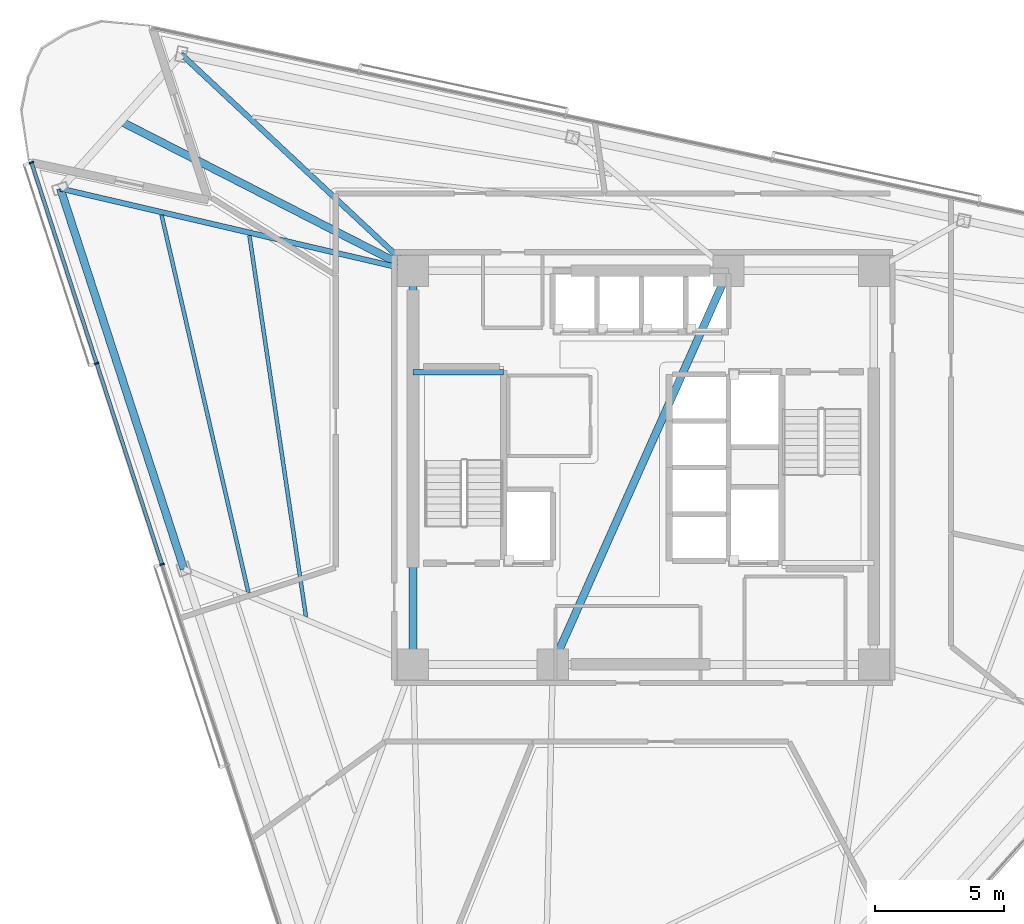
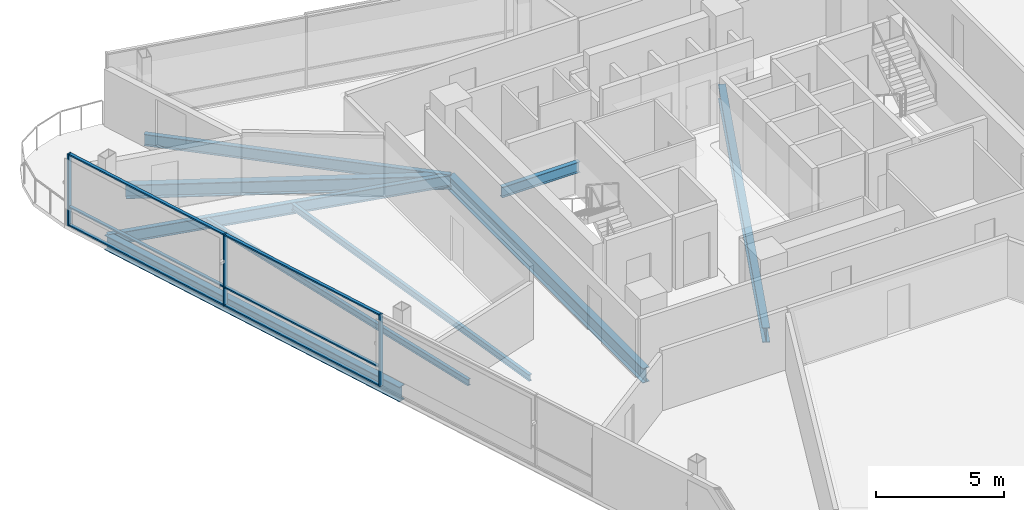
# One storey, part 5 of 17: 9 beams, 9 members, 1 element without a shape of its own.
"""IFC4 building model written with IfcOpenShell, lengths in metres."""

import ifcopenshell
import ifcopenshell.guid

model = None  # the IFC model being written
_history = None  # IfcOwnerHistory: only IFC2X3 demands one
_inside = {}  # id of a spatial element -> (the spatial element, [elements in it])
_under = {}  # id of a project, library or spatial element -> (it, [spatial elements below it])
_declared = {}  # id of a project -> (the project, [libraries it declares])
_typed = {}  # id of a type object -> (the type object, [elements of that type])
_made_of = {}  # id of a material, layer set ... -> (it, [elements and type objects made of it])


def new_model(schema):
    """Start an empty IFC model of exactly this schema.

    Asked for "IFC4X3", IfcOpenShell would pick the latest addendum, in which some entities
    have other attributes; the version numbers below select the first issue.
    IFC2X3 requires an IfcOwnerHistory on every rooted entity: one is made here for all.
    """
    global model, _history
    if schema == "IFC4X3":
        model = ifcopenshell.file(schema_version=(4, 3, 0, 0))
    else:
        model = ifcopenshell.file(schema=schema)
    _inside.clear()
    _under.clear()
    _declared.clear()
    _typed.clear()
    _made_of.clear()
    _history = None
    if model.schema == "IFC2X3":
        org = make("IfcOrganization", Name="unknown")
        user = make(
            "IfcPersonAndOrganization",
            ThePerson=make("IfcPerson", FamilyName="unknown"),
            TheOrganization=org,
        )
        app = make(
            "IfcApplication",
            ApplicationDeveloper=org,
            Version="unknown",
            ApplicationFullName="unknown",
            ApplicationIdentifier="unknown",
        )
        _history = make(
            "IfcOwnerHistory",
            OwningUser=user,
            OwningApplication=app,
            ChangeAction="ADDED",
            CreationDate=0,
        )
    return model


def make(cls, **values):
    """One entity of the class cls with the attributes given. An attribute that is None is left unset."""
    return model.create_entity(
        cls, **{name: value for name, value in values.items() if value is not None}
    )


def rooted(cls, **values):
    """An entity with a GlobalId (a new one), such as an element, a storey or a relation."""
    return make(cls, GlobalId=ifcopenshell.guid.new(), OwnerHistory=_history, **values)


def si_unit(unit_type, name, prefix=None):
    """IfcSIUnit, for example si_unit("LENGTHUNIT", "METRE", prefix="MILLI")."""
    return make("IfcSIUnit", UnitType=unit_type, Prefix=prefix, Name=name)


def assignment(units):
    """IfcUnitAssignment: the units of a project."""
    return None if units is None else make("IfcUnitAssignment", Units=units)


def point(xyz):
    """IfcCartesianPoint."""
    return None if xyz is None else make("IfcCartesianPoint", Coordinates=xyz)


def direction(xyz):
    """IfcDirection."""
    return None if xyz is None else make("IfcDirection", DirectionRatios=xyz)


def frame(location, z_axis=None, x_axis=None):
    """IfcAxis2Placement3D, a coordinate frame: its origin and axes. An axis left out is left unset."""
    return make(
        "IfcAxis2Placement3D",
        Location=point(location),
        Axis=direction(z_axis),
        RefDirection=direction(x_axis),
    )


def frame_2d(location, x_axis=None):
    """IfcAxis2Placement2D, a coordinate frame in the plane: its origin and x axis."""
    return make(
        "IfcAxis2Placement2D", Location=point(location), RefDirection=direction(x_axis)
    )


def origin():
    """The frame at (0, 0, 0) with its axes left unset."""
    return frame((0.0, 0.0, 0.0))


def origin_2d():
    """The frame at (0, 0) in the plane with its x axis left unset."""
    return frame_2d((0.0, 0.0))


def place(relative_to, where):
    """IfcLocalPlacement: puts the frame where relative to a parent placement (None: the world)."""
    return make(
        "IfcLocalPlacement", PlacementRelTo=relative_to, RelativePlacement=where
    )


def context(
    kind, dimensions, precision=None, world=None, true_north=None, identifier=None
):
    """IfcGeometricRepresentationContext, for example the 3D "Model" context."""
    return make(
        "IfcGeometricRepresentationContext",
        ContextIdentifier=identifier,
        ContextType=kind,
        CoordinateSpaceDimension=dimensions,
        Precision=precision,
        WorldCoordinateSystem=world,
        TrueNorth=true_north,
    )


def subcontext(parent, identifier, kind, view, scale=None):
    """IfcGeometricRepresentationSubContext, for example "Body" below "Model"."""
    return make(
        "IfcGeometricRepresentationSubContext",
        ContextIdentifier=identifier,
        ContextType=kind,
        ParentContext=parent,
        TargetScale=scale,
        TargetView=view,
    )


def project(units=None, contexts=None):
    """IfcProject with its units and contexts."""
    return rooted(
        "IfcProject",
        Name="project",
        RepresentationContexts=contexts,
        UnitsInContext=assignment(units),
    )


def spatial(cls, under=None, at=None, **own):
    """A site, building, storey or space (cls), placed at a placement, below another one or the project."""
    s = rooted(cls, ObjectPlacement=at, **own)
    if under is not None:
        _under.setdefault(under.id(), (under, []))[1].append(s)
    return s


def profile(cls, at=None, kind="AREA", **sizes):
    """A parametric profile (cls). Its sizes go by their IFC names, for example OverallWidth=200.0."""
    return make(cls, ProfileType=kind, Position=at, **sizes)


def rectangle(**sizes):
    """IfcRectangleProfileDef."""
    return profile("IfcRectangleProfileDef", **sizes)


def i_section(**sizes):
    """IfcIShapeProfileDef."""
    return profile("IfcIShapeProfileDef", **sizes)


def extrude(swept, where, along, depth):
    """IfcExtrudedAreaSolid: the profile swept, set in the frame where, extruded along a direction by depth."""
    return make(
        "IfcExtrudedAreaSolid",
        SweptArea=swept,
        Position=where,
        ExtrudedDirection=direction(along),
        Depth=depth,
    )


def shape(context_of_items, identifier, shape_type, items):
    """IfcShapeRepresentation: the items that make up one representation, for example the "Body"."""
    return make(
        "IfcShapeRepresentation",
        ContextOfItems=context_of_items,
        RepresentationIdentifier=identifier,
        RepresentationType=shape_type,
        Items=items,
    )


def material(Name=None, Category=None):
    """IfcMaterial."""
    return make("IfcMaterial", Name=Name, Category=Category)


def layer(
    of_material, thickness, ventilated=None, Name=None, Category=None, Priority=None
):
    """IfcMaterialLayer: one layer of a wall or slab, of a material (None: an air gap)."""
    return make(
        "IfcMaterialLayer",
        Material=of_material,
        LayerThickness=thickness,
        IsVentilated=ventilated,
        Name=Name,
        Category=Category,
        Priority=Priority,
    )


def layer_set(layers, Name=None):
    """IfcMaterialLayerSet."""
    return make("IfcMaterialLayerSet", MaterialLayers=layers, LayerSetName=Name)


def material_profile(
    of_material, cross_section, Name=None, Category=None, Priority=None
):
    """IfcMaterialProfile: a cross section and its material."""
    return make(
        "IfcMaterialProfile",
        Name=Name,
        Material=of_material,
        Profile=cross_section,
        Priority=Priority,
        Category=Category,
    )


def profile_set(profiles, Name=None, composite=None):
    """IfcMaterialProfileSet."""
    return make(
        "IfcMaterialProfileSet",
        Name=Name,
        MaterialProfiles=profiles,
        CompositeProfile=composite,
    )


def made_of(thing, what):
    """Note that an element or type object is made of a material, layer set ...; save() writes the relation."""
    if what is not None:
        _made_of.setdefault(what.id(), (what, []))[1].append(thing)
    return thing


def type_object(cls, material=None, **own):
    """A type object (cls), such as IfcWallType, which elements share."""
    return made_of(rooted(cls, **own), material)


def element(
    cls,
    number,
    at=None,
    inside=None,
    cuts=None,
    type_object=None,
    material=None,
    context=None,
    identifier="Body",
    shape_type=None,
    held_by="IfcProductDefinitionShape",
    body=None,
    shapes=None,
    **own,
):
    """One element of the class cls, such as IfcWall. Its Tag is "e" and its number.

    at: its placement. inside: the storey or other place that contains it. cuts: it is an
    opening in that element (IfcRelVoidsElement). A single representation is given by context,
    identifier, shape_type and body (its items); several are given by shapes. held_by: the class
    of the entity that holds the representations. save() writes the other relations.
    """
    e = rooted(cls, Tag="e%d" % number, ObjectPlacement=at, **own)
    if body is not None:
        shapes = [shape(context, identifier, shape_type, body)]
    if shapes is not None:
        e.Representation = make(held_by, Representations=shapes)
    if inside is not None:
        _inside.setdefault(inside.id(), (inside, []))[1].append(e)
    if cuts is not None:
        rooted(
            "IfcRelVoidsElement", RelatingBuildingElement=cuts, RelatedOpeningElement=e
        )
    if type_object is not None:
        _typed.setdefault(type_object.id(), (type_object, []))[1].append(e)
    return made_of(e, material)


def aggregate(whole, parts):
    """IfcRelAggregates: a whole, such as a stair, and the parts it consists of."""
    return rooted("IfcRelAggregates", RelatingObject=whole, RelatedObjects=parts)


def save(model, path):
    """Write the relations noted so far, then the file.

    IfcRelAggregates (storeys below a building ...), IfcRelContainedInSpatialStructure (elements
    in a storey), IfcRelDefinesByType, IfcRelAssociatesMaterial and IfcRelDeclares: one each for
    every whole, place, type object, material and project.
    """
    for whole, parts in _under.values():
        aggregate(whole, parts)
    for where, things in _inside.values():
        rooted(
            "IfcRelContainedInSpatialStructure",
            RelatedElements=things,
            RelatingStructure=where,
        )
    for kind, things in _typed.values():
        rooted("IfcRelDefinesByType", RelatedObjects=things, RelatingType=kind)
    for what, things in _made_of.values():
        rooted("IfcRelAssociatesMaterial", RelatedObjects=things, RelatingMaterial=what)
    for by, libraries in _declared.values():
        rooted("IfcRelDeclares", RelatingContext=by, RelatedDefinitions=libraries)
    model.write(path)


model = new_model("IFC4")

# Units and contexts
model_context = context("Model", 3, precision=1e-05, world=origin(), true_north=direction((0.0, 1.0)))
body_context = subcontext(model_context, "Body", "Model", "MODEL_VIEW")
ifc_project = project(units=[si_unit("LENGTHUNIT", "METRE"), si_unit("AREAUNIT", "SQUARE_METRE"), si_unit("VOLUMEUNIT", "CUBIC_METRE"), si_unit("PLANEANGLEUNIT", "RADIAN"), si_unit("MASSUNIT", "GRAM", prefix="KILO")], contexts=[model_context])

# Site, building, storey
site_placement = place(None, origin())
site = spatial("IfcSite", under=ifc_project, at=site_placement, CompositionType="ELEMENT")
building_placement = place(site_placement, origin())
building = spatial("IfcBuilding", under=site, at=building_placement, Name="Tharavind Bronze Gate", CompositionType="ELEMENT")
storey_placement = place(building_placement, frame((0.0, 0.0, 200.449951171875)))
storey = spatial("IfcBuildingStorey", under=building, at=storey_placement, Name="L51", CompositionType="ELEMENT", Elevation=200.449951171875)

# Curtain wall, members
ifc_material_1 = material(Name="Anodised Bronze Aluminium", Category="aluminium")
ifc_layer = layer(ifc_material_1, 0.219970703125)
ifc_layer_set = layer_set([ifc_layer], Name="Anodised Bronze Aluminium")
curtain_wall_type = type_object("IfcCurtainWallType", Name="UNITISED CURTAIN WALL MID OFFICE", PredefinedType="USERDEFINED", material=ifc_layer_set)
curtain_wall_placement = place(storey_placement, origin())
curtain_wall = element("IfcCurtainWall", 1, at=curtain_wall_placement, inside=storey, type_object=curtain_wall_type, Name="L51 unitised curtain wall mid office CW-L51-S1", ObjectType="UNITISED CURTAIN WALL", PredefinedType="USERDEFINED")
member_type_1 = type_object("IfcMemberType", Name="CURTAIN WALL BRONZE MULLION 65X180", PredefinedType="MULLION", material=ifc_material_1)
member_1_placement = place(storey_placement, frame((-23.630126953125, 11.780517578125, 0.0), z_axis=(0.0, 0.0, 1.0), x_axis=(0.309016994375, -0.951056516295, 0.0)))
member_1 = element("IfcMember", 2, at=member_1_placement, type_object=member_type_1, Name="CW-L51-S1 mullion 1", PredefinedType="MULLION", context=body_context, shape_type="SweptSolid", body=[
    extrude(rectangle(XDim=0.06494140625, YDim=0.179931640625, at=origin_2d()), origin(), (0.0, 0.0, 1.0), 3.419921875),
])
member_2_placement = place(storey_placement, frame((-21.10986328125, 4.02392578125, 0.0), z_axis=(0.0, 0.0, 1.0), x_axis=(0.309016994375, -0.951056516295, 0.0)))
member_2 = element("IfcMember", 3, at=member_2_placement, type_object=member_type_1, Name="CW-L51-S1 mullion 2", PredefinedType="MULLION", context=body_context, shape_type="SweptSolid", body=[
    extrude(rectangle(XDim=0.06494140625, YDim=0.179931640625, at=origin_2d()), origin(), (0.0, 0.0, 1.0), 3.419921875),
])
member_3_placement = place(storey_placement, frame((-18.589599609375, -3.732666015625, 0.0), z_axis=(0.0, 0.0, 1.0), x_axis=(0.309016994375, -0.951056516295, 0.0)))
member_3 = element("IfcMember", 4, at=member_3_placement, type_object=member_type_1, Name="CW-L51-S1 mullion 3", PredefinedType="MULLION", context=body_context, shape_type="SweptSolid", body=[
    extrude(rectangle(XDim=0.06494140625, YDim=0.179931640625, at=origin_2d()), origin(), (0.0, 0.0, 1.0), 3.419921875),
])
member_type_2 = type_object("IfcMemberType", Name="CURTAIN WALL BRONZE TRANSOM 65X140", PredefinedType="USERDEFINED", material=ifc_material_1)
member_4_placement = place(storey_placement, frame((-22.3701171875, 7.902099609375, 0.0), z_axis=(0.0, 0.0, 1.0), x_axis=(0.309016994375, -0.951056516295, 0.0)))
member_4 = element("IfcMember", 5, at=member_4_placement, type_object=member_type_2, Name="CW-L51-S1 transom TB1", ObjectType="TRANSOM", PredefinedType="USERDEFINED", context=body_context, shape_type="SweptSolid", body=[
    extrude(rectangle(XDim=8.102783203125, YDim=0.139892578125, at=origin_2d()), origin(), (0.0, 0.0, 1.0), 0.06494140625),
])
member_5_placement = place(storey_placement, frame((-22.3701171875, 7.902099609375, 0.86767578125), z_axis=(0.0, 0.0, 1.0), x_axis=(0.309016994375, -0.951056516295, 0.0)))
member_5 = element("IfcMember", 6, at=member_5_placement, type_object=member_type_2, Name="CW-L51-S1 transom TS1", ObjectType="TRANSOM", PredefinedType="USERDEFINED", context=body_context, shape_type="SweptSolid", body=[
    extrude(rectangle(XDim=8.102783203125, YDim=0.139892578125, at=origin_2d()), origin(), (0.0, 0.0, 1.0), 0.06494140625),
])
member_6_placement = place(storey_placement, frame((-22.3701171875, 7.902099609375, 3.35498046875), z_axis=(0.0, 0.0, 1.0), x_axis=(0.309016994375, -0.951056516295, 0.0)))
member_6 = element("IfcMember", 7, at=member_6_placement, type_object=member_type_2, Name="CW-L51-S1 transom TT1", ObjectType="TRANSOM", PredefinedType="USERDEFINED", context=body_context, shape_type="SweptSolid", body=[
    extrude(rectangle(XDim=8.102783203125, YDim=0.139892578125, at=origin_2d()), origin(), (0.0, 0.0, 1.0), 0.06494140625),
])
member_7_placement = place(storey_placement, frame((-19.849853515625, 0.145751953125, 0.0), z_axis=(0.0, 0.0, 1.0), x_axis=(0.309016994375, -0.951056516295, 0.0)))
member_7 = element("IfcMember", 8, at=member_7_placement, type_object=member_type_2, Name="CW-L51-S1 transom TB2", ObjectType="TRANSOM", PredefinedType="USERDEFINED", context=body_context, shape_type="SweptSolid", body=[
    extrude(rectangle(XDim=8.102783203125, YDim=0.139892578125, at=origin_2d()), origin(), (0.0, 0.0, 1.0), 0.06494140625),
])
member_8_placement = place(storey_placement, frame((-19.849853515625, 0.145751953125, 0.86767578125), z_axis=(0.0, 0.0, 1.0), x_axis=(0.309016994375, -0.951056516295, 0.0)))
member_8 = element("IfcMember", 9, at=member_8_placement, type_object=member_type_2, Name="CW-L51-S1 transom TS2", ObjectType="TRANSOM", PredefinedType="USERDEFINED", context=body_context, shape_type="SweptSolid", body=[
    extrude(rectangle(XDim=8.102783203125, YDim=0.139892578125, at=origin_2d()), origin(), (0.0, 0.0, 1.0), 0.06494140625),
])
member_9_placement = place(storey_placement, frame((-19.849853515625, 0.145751953125, 3.35498046875), z_axis=(0.0, 0.0, 1.0), x_axis=(0.309016994375, -0.951056516295, 0.0)))
member_9 = element("IfcMember", 10, at=member_9_placement, type_object=member_type_2, Name="CW-L51-S1 transom TT2", ObjectType="TRANSOM", PredefinedType="USERDEFINED", context=body_context, shape_type="SweptSolid", body=[
    extrude(rectangle(XDim=8.102783203125, YDim=0.139892578125, at=origin_2d()), origin(), (0.0, 0.0, 1.0), 0.06494140625),
])
aggregate(curtain_wall, [member_1, member_2, member_3, member_4, member_5, member_6, member_7, member_8, member_9])

# Beams
ifc_material_2 = material(Name="Steel S355", Category="steel")
ifc_material_profile_1 = material_profile(ifc_material_2, i_section(OverallWidth=0.300048828125, OverallDepth=0.64990234375, WebThickness=0.01611328125, FlangeThickness=0.031005859375, at=origin_2d()), Name="HE650B")
ifc_profile_set_1 = profile_set([ifc_material_profile_1], Name="Steel S355")
beam_type_1 = type_object("IfcBeamType", Name="PRIMARY GIRDER HE650B", PredefinedType="USERDEFINED", material=ifc_profile_set_1)
beam_1_placement = place(storey_placement, frame((-8.89990234375, 7.60009765625, -0.5048828125), z_axis=(-0.890281411762, 0.455410812202, 0.0), x_axis=(-0.455410812202, -0.890281411762, 0.0)))
element("IfcBeam", 11, at=beam_1_placement, inside=storey, type_object=beam_type_1, Name="L51 primary girder he650b BM-L51-BLCSB", ObjectType="GIRDER", PredefinedType="USERDEFINED", context=body_context, shape_type="SweptSolid", body=[
    extrude(i_section(OverallWidth=0.300048828125, OverallDepth=0.64990234375, WebThickness=0.01611328125, FlangeThickness=0.031005859375, at=origin_2d()), origin(), (0.0, 0.0, 1.0), 12.67041015625),
])
ifc_material_profile_2 = material_profile(ifc_material_2, i_section(OverallWidth=0.199951171875, OverallDepth=0.5, WebThickness=0.01025390625, FlangeThickness=0.01611328125, at=origin_2d()), Name="IPE500")
ifc_profile_set_2 = profile_set([ifc_material_profile_2], Name="Steel S355")
beam_type_2 = type_object("IfcBeamType", Name="PRIMARY GIRDER IPE500", PredefinedType="USERDEFINED", material=ifc_profile_set_2)
beam_2_placement = place(storey_placement, frame((-8.89990234375, 3.679931640625, 1.35009765625), z_axis=(1.0, 0.0, 0.0), x_axis=(0.0, 1.0, 0.0)))
element("IfcBeam", 12, at=beam_2_placement, inside=storey, type_object=beam_type_2, Name="L51 primary girder ipe500 BM-LD-ST1-L51-1", ObjectType="GIRDER", PredefinedType="USERDEFINED", context=body_context, shape_type="SweptSolid", body=[
    extrude(i_section(OverallWidth=0.199951171875, OverallDepth=0.5, WebThickness=0.01025390625, FlangeThickness=0.01611328125, at=origin_2d()), origin(), (0.0, 0.0, 1.0), 3.5),
])
ifc_material_profile_3 = material_profile(ifc_material_2, i_section(OverallWidth=0.2099609375, OverallDepth=0.550048828125, WebThickness=0.010986328125, FlangeThickness=0.01708984375, at=origin_2d()), Name="IPE550")
ifc_profile_set_3 = profile_set([ifc_material_profile_3], Name="Steel S355")
beam_type_3 = type_object("IfcBeamType", Name="PRIMARY GIRDER IPE550", PredefinedType="USERDEFINED", material=ifc_profile_set_3)
beam_3_placement = place(storey_placement, frame((-22.515380859375, 10.77685546875, -0.454833984375), z_axis=(0.973844172145, -0.227216919219, 0.0), x_axis=(0.227216919219, 0.973844172145, 0.0)))
element("IfcBeam", 13, at=beam_3_placement, inside=storey, type_object=beam_type_3, Name="L51 primary girder ipe550 BM-L51-RAD01", ObjectType="GIRDER", PredefinedType="USERDEFINED", context=body_context, shape_type="SweptSolid", body=[
    extrude(i_section(OverallWidth=0.2099609375, OverallDepth=0.550048828125, WebThickness=0.010986328125, FlangeThickness=0.01708984375, at=origin_2d()), origin(), (0.0, 0.0, 1.0), 13.981201171875),
])
beam_4_placement = place(storey_placement, frame((-17.844970703125, 15.9638671875, -0.454833984375), z_axis=(0.730442397204, -0.682974307252, 0.0), x_axis=(0.682974307252, 0.730442397204, 0.0)))
element("IfcBeam", 14, at=beam_4_placement, inside=storey, type_object=beam_type_3, Name="L51 primary girder ipe550 BM-L51-RAD12", ObjectType="GIRDER", PredefinedType="USERDEFINED", context=body_context, shape_type="SweptSolid", body=[
    extrude(i_section(OverallWidth=0.2099609375, OverallDepth=0.550048828125, WebThickness=0.010986328125, FlangeThickness=0.01708984375, at=origin_2d()), origin(), (0.0, 0.0, 1.0), 12.24609375),
])
ifc_material_profile_4 = material_profile(ifc_material_2, i_section(OverallWidth=0.300048828125, OverallDepth=0.699951171875, WebThickness=0.01708984375, FlangeThickness=0.031982421875, at=origin_2d()), Name="HE700B")
ifc_profile_set_4 = profile_set([ifc_material_profile_4], Name="Steel S355")
beam_type_4 = type_object("IfcBeamType", Name="RING GIRDER HE700B", PredefinedType="USERDEFINED", material=ifc_profile_set_4)
beam_5_placement = place(storey_placement, frame((-8.89990234375, 7.60009765625, -0.530029296875), z_axis=(0.0, -1.0, 0.0), x_axis=(1.0, 0.0, 0.0)))
element("IfcBeam", 15, at=beam_5_placement, inside=storey, type_object=beam_type_4, Name="L51 ring girder he700b BM-L51-CR6", ObjectType="GIRDER", PredefinedType="USERDEFINED", context=body_context, shape_type="SweptSolid", body=[
    extrude(i_section(OverallWidth=0.300048828125, OverallDepth=0.699951171875, WebThickness=0.01708984375, FlangeThickness=0.031982421875, at=origin_2d()), origin(), (0.0, 0.0, 1.0), 15.2001953125),
])
beam_6_placement = place(storey_placement, frame((-3.5, -7.60009765625, -0.530029296875), z_axis=(0.407361644566, 0.913266932795, 0.0), x_axis=(-0.913266932795, 0.407361644566, 0.0)))
element("IfcBeam", 16, at=beam_6_placement, inside=storey, type_object=beam_type_4, Name="L51 ring girder he700b BM-L51-CR7", ObjectType="GIRDER", PredefinedType="USERDEFINED", context=body_context, shape_type="SweptSolid", body=[
    extrude(i_section(OverallWidth=0.300048828125, OverallDepth=0.699951171875, WebThickness=0.01708984375, FlangeThickness=0.031982421875, at=origin_2d()), origin(), (0.0, 0.0, 1.0), 16.643798828125),
])
beam_7_placement = place(storey_placement, frame((-22.515380859375, 10.77685546875, -0.530029296875), z_axis=(0.309006009957, -0.951060085279, 0.0), x_axis=(0.951060085279, 0.309006009957, 0.0)))
element("IfcBeam", 17, at=beam_7_placement, inside=storey, type_object=beam_type_4, Name="L51 ring girder he700b BM-L51-PRG01", ObjectType="GIRDER", PredefinedType="USERDEFINED", context=body_context, shape_type="SweptSolid", body=[
    extrude(i_section(OverallWidth=0.300048828125, OverallDepth=0.699951171875, WebThickness=0.01708984375, FlangeThickness=0.031982421875, at=origin_2d()), origin(), (0.0, 0.0, 1.0), 15.4453125),
])
ifc_material_profile_5 = material_profile(ifc_material_2, i_section(OverallWidth=0.14990234375, OverallDepth=0.300048828125, WebThickness=0.007080078125, FlangeThickness=0.0107421875, at=origin_2d()), Name="IPE300")
ifc_profile_set_5 = profile_set([ifc_material_profile_5], Name="Steel S355")
beam_type_5 = type_object("IfcBeamType", Name="SECONDARY FLOOR JOIST IPE300", PredefinedType="JOIST", material=ifc_profile_set_5)
beam_8_placement = place(storey_placement, frame((-15.214111328125, 8.961669921875, -0.329833984375), z_axis=(0.146719879942, -0.989178081454, 0.0), x_axis=(0.989178081454, 0.146719879942, 0.0)))
element("IfcBeam", 18, at=beam_8_placement, inside=storey, type_object=beam_type_5, Name="L51 secondary floor joist ipe300 BM-L51-JSTA01", PredefinedType="JOIST", context=body_context, shape_type="SweptSolid", body=[
    extrude(i_section(OverallWidth=0.14990234375, OverallDepth=0.300048828125, WebThickness=0.007080078125, FlangeThickness=0.0107421875, at=origin_2d()), origin(), (0.0, 0.0, 1.0), 14.8828125),
])
beam_9_placement = place(storey_placement, frame((-18.60791015625, 9.753662109375, -0.329833984375), z_axis=(0.224186420064, -0.974546278562, 0.0), x_axis=(0.974546278562, 0.224186420064, 0.0)))
element("IfcBeam", 19, at=beam_9_placement, inside=storey, type_object=beam_type_5, Name="L51 secondary floor joist ipe300 BM-L51-JSTB01", PredefinedType="JOIST", context=body_context, shape_type="SweptSolid", body=[
    extrude(i_section(OverallWidth=0.14990234375, OverallDepth=0.300048828125, WebThickness=0.007080078125, FlangeThickness=0.0107421875, at=origin_2d()), origin(), (0.0, 0.0, 1.0), 14.968505859375),
])

save(model, "model.ifc")
